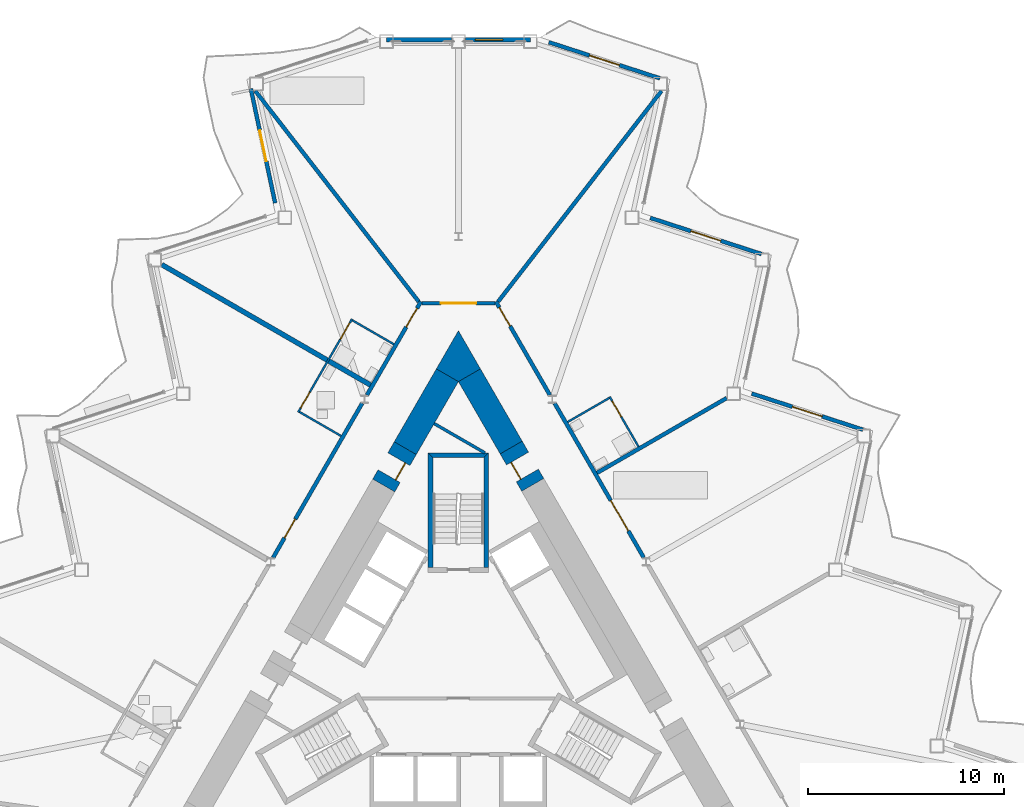
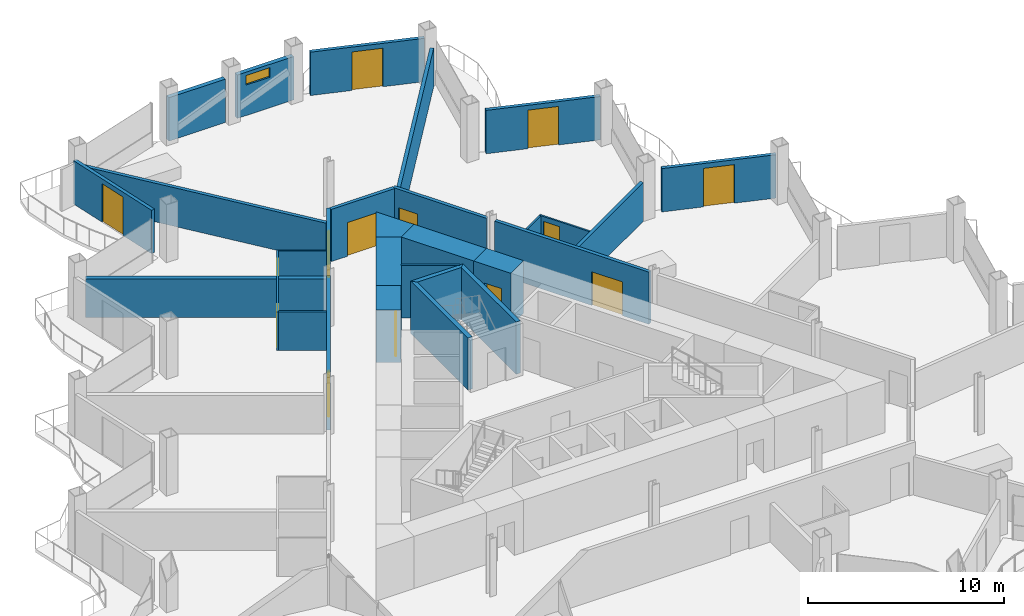
# One storey, part 14 of 23: 29 walls, 14 doors, 1 window, 15 openings.
"""IFC4 building model written with IfcOpenShell, lengths in metres."""

from ifc_helpers import new_model, si_unit, direction, frame, frame_2d, origin, place, context, subcontext, project, spatial, polyline, rectangle, outline, extrude, material, layer, layer_set, type_object, element, fill, save


model = new_model("IFC4")

# Units and contexts
model_context = context("Model", 3, precision=1e-05, world=origin(), true_north=direction((0.0, 1.0)))
body_context = subcontext(model_context, "Body", "Model", "MODEL_VIEW")
ifc_project = project(units=[si_unit("LENGTHUNIT", "METRE"), si_unit("AREAUNIT", "SQUARE_METRE"), si_unit("VOLUMEUNIT", "CUBIC_METRE"), si_unit("PLANEANGLEUNIT", "RADIAN"), si_unit("MASSUNIT", "GRAM", prefix="KILO")], contexts=[model_context])

# Site, building, storey
site_placement = place(None, origin())
site = spatial("IfcSite", under=ifc_project, at=site_placement, CompositionType="ELEMENT")
building_placement = place(site_placement, origin())
building = spatial("IfcBuilding", under=site, at=building_placement, Name="Cormorant Prow Tower", CompositionType="ELEMENT")
storey_placement = place(building_placement, frame((0.0, 0.0, 241.800048828125)))
storey = spatial("IfcBuildingStorey", under=building, at=storey_placement, Name="L53", CompositionType="ELEMENT", Elevation=241.800048828125)

# Walls
ifc_material_1 = material(Name="Gypsum board partition")
ifc_layer_1 = layer(ifc_material_1, 0.14990234375)
ifc_layer_set_1 = layer_set([ifc_layer_1], Name="Gypsum board partition")
wall_type_1 = type_object("IfcWallType", Name="Core partition 150", PredefinedType="PARTITIONING", material=ifc_layer_set_1)
wall_1_placement = place(storey_placement, frame((-1.237060546875, 12.577880859375, 0.0), z_axis=(0.0, 0.0, 1.0), x_axis=(0.866045649925, -0.499964931016, 0.0)))
element("IfcWall", 1, at=wall_1_placement, inside=storey, type_object=wall_type_1, Name="Service room partition", PredefinedType="PARTITIONING", context=body_context, shape_type="SweptSolid", body=[
    extrude(rectangle(XDim=2.992431640625, YDim=0.14990234375, at=frame_2d((1.49609375, 0.0))), origin(), (0.0, 0.0, 1.0), 3.25),
])
ifc_material_2 = material(Name="Concrete 8000 psi", Category="concrete")
ifc_layer_2 = layer(ifc_material_2, 1.300048828125)
ifc_layer_set_2 = layer_set([ifc_layer_2], Name="Concrete 8000 psi")
wall_type_2 = type_object("IfcWallType", Name="Core shear wall 1300", PredefinedType="SHEAR", material=ifc_layer_set_2)
wall_2_placement = place(storey_placement, frame((2.693115234375, 11.356201171875, 0.0), z_axis=(0.0, 0.0, 1.0), x_axis=(-0.50002837164, 0.866009022791, 0.0)))
element("IfcWall", 2, at=wall_2_placement, inside=storey, type_object=wall_type_2, Name="Core wall", PredefinedType="SHEAR", context=body_context, shape_type="SweptSolid", body=[
    extrude(rectangle(XDim=4.260009765625, YDim=1.300048828125, at=frame_2d((2.1298828125, 0.0))), origin(), (0.0, 0.0, 1.0), 3.25),
])
wall_3_placement = place(storey_placement, frame((-0.56298828125, 15.04541015625, 0.0), z_axis=(0.0, 0.0, 1.0), x_axis=(-0.499994567278, -0.866028540345, 0.0)))
element("IfcWall", 3, at=wall_3_placement, inside=storey, type_object=wall_type_2, Name="Core wall", PredefinedType="SHEAR", context=body_context, shape_type="SweptSolid", body=[
    extrude(rectangle(XDim=4.29736328125, YDim=1.300048828125, at=frame_2d((2.148681640625, 0.0))), origin(), (0.0, 0.0, 1.0), 3.25),
])
wall_4_placement = place(storey_placement, origin())
element("IfcWall", 4, at=wall_4_placement, inside=storey, type_object=wall_type_2, Name="Core wall corner", PredefinedType="SHEAR", context=body_context, shape_type="SweptSolid", body=[
    extrude(outline(polyline([(-1.125732421875, 15.37060546875), (0.0, 17.320556640625), (1.125732421875, 15.37060546875), (0.0, 14.720458984375), (-1.125732421875, 15.37060546875)])), origin(), (0.0, 0.0, 1.0), 3.25),
])

# Wall, opening, door
wall_5_placement = place(storey_placement, frame((-2.7119140625, 11.32373046875, 0.0), z_axis=(0.0, 0.0, 1.0), x_axis=(-0.499946605688, -0.86605622881, 0.0)))
wall_5 = element("IfcWall", 5, at=wall_5_placement, inside=storey, type_object=wall_type_2, Name="Core wall door panel", PredefinedType="SHEAR", context=body_context, shape_type="SweptSolid", body=[
    extrude(rectangle(XDim=2.199951171875, YDim=1.300048828125, at=frame_2d((1.10009765625, 0.0))), origin(), (0.0, 0.0, 1.0), 3.25),
])
opening_1_placement = place(wall_5_placement, frame((0.64990234375, 0.0, 0.0)))
opening_1 = element("IfcOpeningElement", 6, at=opening_1_placement, cuts=wall_5, Name="Opening L53-C17", PredefinedType="OPENING", context=body_context, shape_type="SweptSolid", body=[
    extrude(rectangle(XDim=1.0, YDim=2.10009765625, at=frame_2d((0.5, 1.050048828125))), frame((0.0, 0.659912109375, 0.0), z_axis=(0.0, -1.0, 0.0), x_axis=(1.0, 0.0, 0.0)), (0.0, 0.0, 1.0), 1.320068359375),
])
ifc_material_3 = material(Name="Painted steel", Category="steel")
door_type_1 = type_object("IfcDoorType", Name="Service door 1000x2100", OperationType="NOTDEFINED", PredefinedType="DOOR", material=ifc_material_3)
door_1_placement = place(opening_1_placement, origin())
door_1 = element("IfcDoor", 7, at=door_1_placement, inside=storey, type_object=door_type_1, Name="Core door, Telecom room", OperationType="SINGLE_SWING_LEFT", OverallHeight=2.10009765625, OverallWidth=1.0, PredefinedType="DOOR", context=body_context, shape_type="SweptSolid", body=[
    extrude(rectangle(XDim=1.0, YDim=2.10009765625, at=frame_2d((0.5, 1.050048828125))), frame((0.0, 0.40478515625, 0.0), z_axis=(0.0, -1.0, 0.0), x_axis=(1.0, 0.0, 0.0)), (0.0, 0.0, 1.0), 0.050048828125),
])
fill(opening_1, door_1)

wall_6_placement = place(storey_placement, frame((3.79296875, 9.450927734375, 0.0), z_axis=(0.0, 0.0, 1.0), x_axis=(-0.499946605688, 0.86605622881, 0.0)))
wall_6 = element("IfcWall", 8, at=wall_6_placement, inside=storey, type_object=wall_type_2, Name="Core wall door panel", PredefinedType="SHEAR", context=body_context, shape_type="SweptSolid", body=[
    extrude(rectangle(XDim=2.199951171875, YDim=1.300048828125, at=frame_2d((1.10009765625, 0.0))), origin(), (0.0, 0.0, 1.0), 3.25),
])
opening_2_placement = place(wall_6_placement, frame((0.550048828125, 0.0, 0.0)))
opening_2 = element("IfcOpeningElement", 9, at=opening_2_placement, cuts=wall_6, Name="Opening L53-C18", PredefinedType="OPENING", context=body_context, shape_type="SweptSolid", body=[
    extrude(rectangle(XDim=1.0, YDim=2.10009765625, at=frame_2d((0.5, 1.050048828125))), frame((0.0, 0.659912109375, 0.0), z_axis=(0.0, -1.0, 0.0), x_axis=(1.0, 0.0, 0.0)), (0.0, 0.0, 1.0), 1.320068359375),
])
door_2_placement = place(opening_2_placement, origin())
door_2 = element("IfcDoor", 10, at=door_2_placement, inside=storey, type_object=door_type_1, Name="Core door, Pantry store", OperationType="SINGLE_SWING_RIGHT", OverallHeight=2.10009765625, OverallWidth=1.0, PredefinedType="DOOR", context=body_context, shape_type="SweptSolid", body=[
    extrude(rectangle(XDim=1.0, YDim=2.10009765625, at=frame_2d((0.5, 1.050048828125))), frame((0.0, 0.40478515625, 0.0), z_axis=(0.0, -1.0, 0.0), x_axis=(1.0, 0.0, 0.0)), (0.0, 0.0, 1.0), 0.050048828125),
])
fill(opening_2, door_2)

ifc_material_4 = material(Name="Gypsum board corridor wall")
ifc_layer_3 = layer(ifc_material_4, 0.199951171875)
ifc_layer_set_3 = layer_set([ifc_layer_3], Name="Gypsum board corridor wall")
wall_type_3 = type_object("IfcWallType", Name="Corridor wall 200", PredefinedType="PARTITIONING", material=ifc_layer_set_3)
wall_7_placement = place(storey_placement, frame((4.91015625, 13.61572265625, 0.0), z_axis=(0.0, 0.0, 1.0), x_axis=(0.50000207303, -0.866024206917, 0.0)))
wall_7 = element("IfcWall", 11, at=wall_7_placement, inside=storey, type_object=wall_type_3, Name="Corridor wall", PredefinedType="PARTITIONING", context=body_context, shape_type="SweptSolid", body=[
    extrude(rectangle(XDim=9.0947265625, YDim=0.199951171875, at=frame_2d((4.54736328125, 0.0))), origin(), (0.0, 0.0, 1.0), 3.25),
])
opening_3_placement = place(wall_7_placement, frame((5.726318359375, 0.0, 0.0)))
opening_3 = element("IfcOpeningElement", 12, at=opening_3_placement, cuts=wall_7, Name="Opening L53-F10", PredefinedType="OPENING", context=body_context, shape_type="SweptSolid", body=[
    extrude(rectangle(XDim=1.800048828125, YDim=2.10009765625, at=frame_2d((0.89990234375, 1.050048828125))), frame((0.0, 0.10986328125, 0.0), z_axis=(0.0, -1.0, 0.0), x_axis=(1.0, 0.0, 0.0)), (0.0, 0.0, 1.0), 0.219970703125),
])
ifc_material_5 = material(Name="Timber door leaf", Category="wood")
door_type_2 = type_object("IfcDoorType", Name="Double door 1800x2100", OperationType="DOUBLE_DOOR_SINGLE_SWING", PredefinedType="DOOR", material=ifc_material_5)
door_3_placement = place(opening_3_placement, origin())
door_3 = element("IfcDoor", 13, at=door_3_placement, inside=storey, type_object=door_type_2, Name="Library door", OperationType="DOUBLE_DOOR_SINGLE_SWING", OverallHeight=2.10009765625, OverallWidth=1.800048828125, PredefinedType="DOOR", context=body_context, shape_type="SweptSolid", body=[
    extrude(rectangle(XDim=1.800048828125, YDim=2.10009765625, at=frame_2d((0.89990234375, 1.050048828125))), frame((0.0, 0.02490234375, 0.0), z_axis=(0.0, -1.0, 0.0), x_axis=(1.0, 0.0, 0.0)), (0.0, 0.0, 1.0), 0.050048828125),
])
fill(opening_3, door_3)

wall_8_placement = place(storey_placement, frame((-9.45751953125, 5.739501953125, 0.0), z_axis=(0.0, 0.0, 1.0), x_axis=(0.50000207303, 0.866024206917, 0.0)))
wall_8 = element("IfcWall", 14, at=wall_8_placement, inside=storey, type_object=wall_type_3, Name="Corridor wall", PredefinedType="PARTITIONING", context=body_context, shape_type="SweptSolid", body=[
    extrude(rectangle(XDim=9.0947265625, YDim=0.199951171875, at=frame_2d((4.54736328125, 0.0))), origin(), (0.0, 0.0, 1.0), 3.25),
])
opening_4_placement = place(wall_8_placement, frame((1.16162109375, 0.0, 0.0)))
opening_4 = element("IfcOpeningElement", 15, at=opening_4_placement, cuts=wall_8, Name="Opening L53-F16", PredefinedType="OPENING", context=body_context, shape_type="SweptSolid", body=[
    extrude(rectangle(XDim=1.10009765625, YDim=2.10009765625, at=frame_2d((0.550048828125, 1.050048828125))), frame((0.0, 0.10986328125, 0.0), z_axis=(0.0, -1.0, 0.0), x_axis=(1.0, 0.0, 0.0)), (0.0, 0.0, 1.0), 0.219970703125),
])
ifc_material_6 = material(Name="Timber door leaf", Category="wood")
door_type_3 = type_object("IfcDoorType", Name="Suite entrance door 1100x2100", OperationType="NOTDEFINED", PredefinedType="DOOR", material=ifc_material_6)
door_4_placement = place(opening_4_placement, origin())
door_4 = element("IfcDoor", 16, at=door_4_placement, inside=storey, type_object=door_type_3, Name="Junior suite door", OperationType="SINGLE_SWING_LEFT", OverallHeight=2.10009765625, OverallWidth=1.10009765625, PredefinedType="DOOR", context=body_context, shape_type="SweptSolid", body=[
    extrude(rectangle(XDim=1.10009765625, YDim=2.10009765625, at=frame_2d((0.550048828125, 1.050048828125))), frame((0.0, 0.02490234375, 0.0), z_axis=(0.0, -1.0, 0.0), x_axis=(1.0, 0.0, 0.0)), (0.0, 0.0, 1.0), 0.050048828125),
])
fill(opening_4, door_4)

wall_9_placement = place(storey_placement, frame((-4.668212890625, 14.034912109375, 0.0), z_axis=(0.0, 0.0, 1.0), x_axis=(0.499984524817, 0.866034338201, 0.0)))
wall_9 = element("IfcWall", 17, at=wall_9_placement, inside=storey, type_object=wall_type_3, Name="Corridor wall", PredefinedType="PARTITIONING", context=body_context, shape_type="SweptSolid", body=[
    extrude(rectangle(XDim=5.510498046875, YDim=0.199951171875, at=frame_2d((2.75537109375, 0.0))), origin(), (0.0, 0.0, 1.0), 3.25),
])
opening_5_placement = place(wall_9_placement, frame((4.009765625, 0.0, 0.0)))
opening_5 = element("IfcOpeningElement", 18, at=opening_5_placement, cuts=wall_9, Name="Opening L53-F14", PredefinedType="OPENING", context=body_context, shape_type="SweptSolid", body=[
    extrude(rectangle(XDim=1.10009765625, YDim=2.10009765625, at=frame_2d((0.550048828125, 1.050048828125))), frame((0.0, 0.10986328125, 0.0), z_axis=(0.0, -1.0, 0.0), x_axis=(1.0, 0.0, 0.0)), (0.0, 0.0, 1.0), 0.219970703125),
])
door_5_placement = place(opening_5_placement, origin())
door_5 = element("IfcDoor", 19, at=door_5_placement, inside=storey, type_object=door_type_3, Name="Junior suite door", OperationType="SINGLE_SWING_RIGHT", OverallHeight=2.10009765625, OverallWidth=1.10009765625, PredefinedType="DOOR", context=body_context, shape_type="SweptSolid", body=[
    extrude(rectangle(XDim=1.10009765625, YDim=2.10009765625, at=frame_2d((0.550048828125, 1.050048828125))), frame((0.0, 0.02490234375, 0.0), z_axis=(0.0, -1.0, 0.0), x_axis=(1.0, 0.0, 0.0)), (0.0, 0.0, 1.0), 0.050048828125),
])
fill(opening_5, door_5)

wall_10_placement = place(storey_placement, frame((1.9130859375, 18.80712890625, 0.0), z_axis=(0.0, 0.0, 1.0), x_axis=(0.499984524817, -0.866034338201, 0.0)))
wall_10 = element("IfcWall", 20, at=wall_10_placement, inside=storey, type_object=wall_type_3, Name="Corridor wall", PredefinedType="PARTITIONING", context=body_context, shape_type="SweptSolid", body=[
    extrude(rectangle(XDim=5.510498046875, YDim=0.199951171875, at=frame_2d((2.75537109375, 0.0))), origin(), (0.0, 0.0, 1.0), 3.25),
])
opening_6_placement = place(wall_10_placement, frame((0.350341796875, 0.0, 0.0)))
opening_6 = element("IfcOpeningElement", 21, at=opening_6_placement, cuts=wall_10, Name="Opening L53-F11", PredefinedType="OPENING", context=body_context, shape_type="SweptSolid", body=[
    extrude(rectangle(XDim=1.10009765625, YDim=2.10009765625, at=frame_2d((0.550048828125, 1.050048828125))), frame((0.0, 0.10986328125, 0.0), z_axis=(0.0, -1.0, 0.0), x_axis=(1.0, 0.0, 0.0)), (0.0, 0.0, 1.0), 0.219970703125),
])
door_6_placement = place(opening_6_placement, origin())
door_6 = element("IfcDoor", 22, at=door_6_placement, inside=storey, type_object=door_type_3, Name="Executive suite bedroom door", OperationType="SINGLE_SWING_LEFT", OverallHeight=2.10009765625, OverallWidth=1.10009765625, PredefinedType="DOOR", context=body_context, shape_type="SweptSolid", body=[
    extrude(rectangle(XDim=1.10009765625, YDim=2.10009765625, at=frame_2d((0.550048828125, 1.050048828125))), frame((0.0, 0.02490234375, 0.0), z_axis=(0.0, -1.0, 0.0), x_axis=(1.0, 0.0, 0.0)), (0.0, 0.0, 1.0), 0.050048828125),
])
fill(opening_6, door_6)

wall_11_placement = place(storey_placement, frame((-1.863037109375, 18.720458984375, 0.0), z_axis=(0.0, 0.0, 1.0), x_axis=(1.0, 0.0, 0.0)))
wall_11 = element("IfcWall", 23, at=wall_11_placement, inside=storey, type_object=wall_type_3, Name="Corridor wall", PredefinedType="PARTITIONING", context=body_context, shape_type="SweptSolid", body=[
    extrude(rectangle(XDim=3.72607421875, YDim=0.199951171875, at=frame_2d((1.863037109375, 0.0))), origin(), (0.0, 0.0, 1.0), 3.25),
])
opening_7_placement = place(wall_11_placement, frame((0.962890625, 0.0, 0.0)))
opening_7 = element("IfcOpeningElement", 24, at=opening_7_placement, cuts=wall_11, Name="Opening L53-F13", PredefinedType="OPENING", context=body_context, shape_type="SweptSolid", body=[
    extrude(rectangle(XDim=1.800048828125, YDim=2.10009765625, at=frame_2d((0.89990234375, 1.050048828125))), frame((0.0, 0.10986328125, 0.0), z_axis=(0.0, -1.0, 0.0), x_axis=(1.0, 0.0, 0.0)), (0.0, 0.0, 1.0), 0.219970703125),
])
door_7_placement = place(opening_7_placement, origin())
door_7 = element("IfcDoor", 25, at=door_7_placement, inside=storey, type_object=door_type_2, Name="Co-working space door", OperationType="DOUBLE_DOOR_SINGLE_SWING", OverallHeight=2.10009765625, OverallWidth=1.800048828125, PredefinedType="DOOR", context=body_context, shape_type="SweptSolid", body=[
    extrude(rectangle(XDim=1.800048828125, YDim=2.10009765625, at=frame_2d((0.89990234375, 1.050048828125))), frame((0.0, 0.02490234375, 0.0), z_axis=(0.0, -1.0, 0.0), x_axis=(1.0, 0.0, 0.0)), (0.0, 0.0, 1.0), 0.050048828125),
])
fill(opening_7, door_7)

# Walls
ifc_material_7 = material(Name="Gypsum board demising wall")
ifc_layer_4 = layer(ifc_material_7, 0.199951171875)
ifc_layer_set_4 = layer_set([ifc_layer_4], Name="Gypsum board demising wall")
wall_type_4 = type_object("IfcWallType", Name="Demising wall 200", PredefinedType="PARTITIONING", material=ifc_layer_set_4)
for number, where, z_axis, x_axis, name in (
    (26, (2.0244140625, 18.799560546875, 0.0), (0.0, 0.0, 1.0), (0.612908308889, 0.790154038713, 0.0), "Demising wall"),
    (27, (-10.367919921875, 29.555908203125, 0.0), (0.0, 0.0, 1.0), (0.612908308889, -0.790154038713, 0.0), "Demising wall"),
):
    element("IfcWall", number, at=place(storey_placement, frame(where, z_axis=z_axis, x_axis=x_axis)), inside=storey, type_object=wall_type_4, Name=name, PredefinedType="PARTITIONING", context=body_context, shape_type="SweptSolid", body=[
        extrude(rectangle(XDim=13.613037109375, YDim=0.199951171875, at=frame_2d((6.806640625, 0.0))), origin(), (0.0, 0.0, 1.0), 2.404052734375),
    ])
wall_12_placement = place(storey_placement, frame((7.0771484375, 10.0625, 0.0), z_axis=(0.0, 0.0, 1.0), x_axis=(0.866041764179, 0.499971661894, 0.0)))
element("IfcWall", 28, at=wall_12_placement, inside=storey, type_object=wall_type_4, Name="Demising wall", PredefinedType="PARTITIONING", context=body_context, shape_type="SweptSolid", body=[
    extrude(rectangle(XDim=7.63232421875, YDim=0.199951171875, at=frame_2d((3.816162109375, 0.0))), origin(), (0.0, 0.0, 1.0), 2.404052734375),
])

# Wall, openings, doors
ifc_material_8 = material(Name="Gypsum board partition")
ifc_layer_5 = layer(ifc_material_8, 0.10009765625)
ifc_layer_set_5 = layer_set([ifc_layer_5], Name="Gypsum board partition")
wall_type_5 = type_object("IfcWallType", Name="Internal partition 100", PredefinedType="PARTITIONING", material=ifc_layer_set_5)
wall_13_placement = place(storey_placement, frame((-8.179443359375, 13.1533203125, 0.0), z_axis=(0.0, 0.0, 1.0), x_axis=(0.499996545922, 0.866027397988, 0.0)))
wall_13 = element("IfcWall", 29, at=wall_13_placement, inside=storey, type_object=wall_type_5, Name="Internal partition", PredefinedType="PARTITIONING", context=body_context, shape_type="SweptSolid", body=[
    extrude(rectangle(XDim=5.5, YDim=0.10009765625, at=frame_2d((2.75, 0.0))), origin(), (0.0, 0.0, 1.0), 2.404052734375),
])
opening_8_placement = place(wall_13_placement, frame((4.300048828125, 0.0, 0.0)))
opening_8 = element("IfcOpeningElement", 30, at=opening_8_placement, cuts=wall_13, Name="Opening L53-F15", PredefinedType="OPENING", context=body_context, shape_type="SweptSolid", body=[
    extrude(rectangle(XDim=0.949951171875, YDim=2.10009765625, at=frame_2d((0.47509765625, 1.050048828125))), frame((0.0, 0.06005859375, 0.0), z_axis=(0.0, -1.0, 0.0), x_axis=(1.0, 0.0, 0.0)), (0.0, 0.0, 1.0), 0.1201171875),
])
opening_9_placement = place(wall_13_placement, frame((0.25, 0.0, 0.0)))
opening_9 = element("IfcOpeningElement", 31, at=opening_9_placement, cuts=wall_13, Name="Opening L53-F17", PredefinedType="OPENING", context=body_context, shape_type="SweptSolid", body=[
    extrude(rectangle(XDim=0.949951171875, YDim=2.10009765625, at=frame_2d((0.47509765625, 1.050048828125))), frame((0.0, 0.06005859375, 0.0), z_axis=(0.0, -1.0, 0.0), x_axis=(1.0, 0.0, 0.0)), (0.0, 0.0, 1.0), 0.1201171875),
])
ifc_material_9 = material(Name="Timber door leaf", Category="wood")
door_type_4 = type_object("IfcDoorType", Name="Bathroom door 950x2100", OperationType="NOTDEFINED", PredefinedType="DOOR", material=ifc_material_9)
door_8_placement = place(opening_8_placement, origin())
door_8 = element("IfcDoor", 32, at=door_8_placement, inside=storey, type_object=door_type_4, Name="Junior suite door", OperationType="SINGLE_SWING_RIGHT", OverallHeight=2.10009765625, OverallWidth=0.949951171875, PredefinedType="DOOR", context=body_context, shape_type="SweptSolid", body=[
    extrude(rectangle(XDim=0.949951171875, YDim=2.10009765625, at=frame_2d((0.47509765625, 1.050048828125))), frame((0.0, 0.02490234375, 0.0), z_axis=(0.0, -1.0, 0.0), x_axis=(1.0, 0.0, 0.0)), (0.0, 0.0, 1.0), 0.050048828125),
])
fill(opening_8, door_8)
door_9_placement = place(opening_9_placement, origin())
door_9 = element("IfcDoor", 33, at=door_9_placement, inside=storey, type_object=door_type_4, Name="Junior suite door", OperationType="SINGLE_SWING_LEFT", OverallHeight=2.10009765625, OverallWidth=0.949951171875, PredefinedType="DOOR", context=body_context, shape_type="SweptSolid", body=[
    extrude(rectangle(XDim=0.949951171875, YDim=2.10009765625, at=frame_2d((0.47509765625, 1.050048828125))), frame((0.0, 0.02490234375, 0.0), z_axis=(0.0, -1.0, 0.0), x_axis=(1.0, 0.0, 0.0)), (0.0, 0.0, 1.0), 0.050048828125),
])
fill(opening_9, door_9)

# Wall, opening, door
wall_14_placement = place(storey_placement, frame((7.71728515625, 13.953857421875, 0.0), z_axis=(0.0, 0.0, 1.0), x_axis=(0.500001826776, -0.866024349092, 0.0)))
wall_14 = element("IfcWall", 34, at=wall_14_placement, inside=storey, type_object=wall_type_5, Name="Internal partition", PredefinedType="PARTITIONING", context=body_context, shape_type="SweptSolid", body=[
    extrude(rectangle(XDim=2.9501953125, YDim=0.10009765625, at=frame_2d((1.47509765625, 0.0))), origin(), (0.0, 0.0, 1.0), 2.404052734375),
])
opening_10_placement = place(wall_14_placement, frame((0.25, 0.0, 0.0)))
opening_10 = element("IfcOpeningElement", 35, at=opening_10_placement, cuts=wall_14, Name="Opening L53-F12", PredefinedType="OPENING", context=body_context, shape_type="SweptSolid", body=[
    extrude(rectangle(XDim=0.949951171875, YDim=2.10009765625, at=frame_2d((0.47509765625, 1.050048828125))), frame((0.0, 0.06005859375, 0.0), z_axis=(0.0, -1.0, 0.0), x_axis=(1.0, 0.0, 0.0)), (0.0, 0.0, 1.0), 0.1201171875),
])
door_10_placement = place(opening_10_placement, origin())
door_10 = element("IfcDoor", 36, at=door_10_placement, inside=storey, type_object=door_type_4, Name="Executive suite bedroom door", OperationType="SINGLE_SWING_LEFT", OverallHeight=2.10009765625, OverallWidth=0.949951171875, PredefinedType="DOOR", context=body_context, shape_type="SweptSolid", body=[
    extrude(rectangle(XDim=0.949951171875, YDim=2.10009765625, at=frame_2d((0.47509765625, 1.050048828125))), frame((0.0, 0.02490234375, 0.0), z_axis=(0.0, -1.0, 0.0), x_axis=(1.0, 0.0, 0.0)), (0.0, 0.0, 1.0), 0.050048828125),
])
fill(opening_10, door_10)

# Walls
wall_15_placement = place(storey_placement, frame((-5.4111328125, 17.84814453125, 0.0), z_axis=(0.0, 0.0, 1.0), x_axis=(0.866057815567, -0.499943856944, 0.0)))
element("IfcWall", 37, at=wall_15_placement, inside=storey, type_object=wall_type_5, Name="Internal partition", PredefinedType="PARTITIONING", context=body_context, shape_type="SweptSolid", body=[
    extrude(rectangle(XDim=2.449951171875, YDim=0.10009765625, at=frame_2d((1.22509765625, 0.0))), origin(), (0.0, 0.0, 1.0), 2.404052734375),
])
wall_16_placement = place(storey_placement, frame((5.5771484375, 12.660400390625, 0.0), z_axis=(0.0, 0.0, 1.0), x_axis=(0.866014668023, 0.500018594424, 0.0)))
element("IfcWall", 38, at=wall_16_placement, inside=storey, type_object=wall_type_5, Name="Internal partition", PredefinedType="PARTITIONING", context=body_context, shape_type="SweptSolid", body=[
    extrude(rectangle(XDim=2.4501953125, YDim=0.10009765625, at=frame_2d((1.22509765625, 0.0))), origin(), (0.0, 0.0, 1.0), 2.404052734375),
])
wall_17_placement = place(storey_placement, frame((-8.111083984375, 13.171630859375, 0.0), z_axis=(0.0, 0.0, 1.0), x_axis=(0.865989751695, -0.500061746146, 0.0)))
element("IfcWall", 39, at=wall_17_placement, inside=storey, type_object=wall_type_5, Name="Internal partition", PredefinedType="PARTITIONING", context=body_context, shape_type="SweptSolid", body=[
    extrude(rectangle(XDim=2.449951171875, YDim=0.10009765625, at=frame_2d((1.22509765625, 0.0))), origin(), (0.0, 0.0, 1.0), 2.404052734375),
])
ifc_material_10 = material(Name="Concrete 8000 psi", Category="concrete")
ifc_layer_6 = layer(ifc_material_10, 0.25)
ifc_layer_set_6 = layer_set([ifc_layer_6], Name="Concrete 8000 psi")
wall_type_6 = type_object("IfcWallType", Name="Stair wall 250", PredefinedType="SHEAR", material=ifc_layer_set_6)
wall_18_placement = place(storey_placement, origin())
element("IfcWall", 40, at=wall_18_placement, inside=storey, type_object=wall_type_6, Name="Stair ST3 enclosure wall (flank)", PredefinedType="SHEAR", context=body_context, shape_type="SweptSolid", body=[
    extrude(outline(polyline([(1.5439453125, 5.23681640625), (1.5439453125, 11.0869140625), (1.2939453125, 10.8369140625), (1.2939453125, 5.23681640625), (1.5439453125, 5.23681640625)])), origin(), (0.0, 0.0, 1.0), 3.25),
])
wall_19_placement = place(storey_placement, origin())
element("IfcWall", 41, at=wall_19_placement, inside=storey, type_object=wall_type_6, Name="Stair ST3 enclosure wall (end)", PredefinedType="SHEAR", context=body_context, shape_type="SweptSolid", body=[
    extrude(outline(polyline([(1.5439453125, 11.0869140625), (-1.5439453125, 11.0869140625), (-1.2939453125, 10.8369140625), (1.2939453125, 10.8369140625), (1.5439453125, 11.0869140625)])), origin(), (0.0, 0.0, 1.0), 3.25),
])
wall_20_placement = place(storey_placement, origin())
element("IfcWall", 42, at=wall_20_placement, inside=storey, type_object=wall_type_6, Name="Stair ST3 enclosure wall (flank)", PredefinedType="SHEAR", context=body_context, shape_type="SweptSolid", body=[
    extrude(outline(polyline([(-1.2939453125, 10.8369140625), (-1.5439453125, 11.0869140625), (-1.5439453125, 5.23681640625), (-1.2939453125, 5.23681640625), (-1.2939453125, 10.8369140625)])), origin(), (0.0, 0.0, 1.0), 3.25),
])
ifc_material_11 = material(Name="Acoustic gypsum party wall")
ifc_layer_7 = layer(ifc_material_11, 0.25)
ifc_layer_set_7 = layer_set([ifc_layer_7], Name="Acoustic gypsum party wall")
wall_type_7 = type_object("IfcWallType", Name="Suite party wall 250", PredefinedType="PARTITIONING", material=ifc_layer_set_7)
wall_21_placement = place(storey_placement, frame((-15.138427734375, 20.693115234375, 0.0), z_axis=(0.0, 0.0, 1.0), x_axis=(0.866015637476, -0.500016915361, 0.0)))
element("IfcWall", 43, at=wall_21_placement, inside=storey, type_object=wall_type_7, Name="Suite party wall", PredefinedType="PARTITIONING", context=body_context, shape_type="SweptSolid", body=[
    extrude(rectangle(XDim=12.29638671875, YDim=0.25, at=frame_2d((6.148193359375, 0.0))), origin(), (0.0, 0.0, 1.0), 2.404052734375),
])

# Wall, opening, window
ifc_material_12 = material(Name="Terracotta", Category="masonry")
ifc_layer_8 = layer(ifc_material_12, 0.25)
ifc_layer_set_8 = layer_set([ifc_layer_8], Name="Terracotta")
wall_type_8 = type_object("IfcWallType", Name="Terracotta bay wall 250", PredefinedType="SOLIDWALL", material=ifc_layer_set_8)
wall_22_placement = place(storey_placement, frame((3.6708984375, 32.16552734375, 0.0), z_axis=(0.0, 0.0, 1.0), x_axis=(-1.0, 0.0, 0.0)))
wall_22 = element("IfcWall", 44, at=wall_22_placement, inside=storey, type_object=wall_type_8, Name="Terracotta bay wall N00", PredefinedType="SOLIDWALL", context=body_context, shape_type="SweptSolid", body=[
    extrude(rectangle(XDim=3.32080078125, YDim=0.25, at=frame_2d((1.660400390625, 0.0))), origin(), (0.0, 0.0, 1.0), 2.700927734375),
])
opening_11_placement = place(wall_22_placement, frame((1.39990234375, 0.0, 1.89990234375)))
opening_11 = element("IfcOpeningElement", 45, at=opening_11_placement, cuts=wall_22, Name="Opening WN6", PredefinedType="OPENING", context=body_context, shape_type="SweptSolid", body=[
    extrude(rectangle(XDim=1.39990234375, YDim=0.60009765625, at=frame_2d((0.699951171875, 0.300048828125))), frame((0.0, 0.135009765625, 0.0), z_axis=(0.0, -1.0, 0.0), x_axis=(1.0, 0.0, 0.0)), (0.0, 0.0, 1.0), 0.27001953125),
])
ifc_material_13 = material(Name="Aluminium 6063-T6", Category="aluminium")
window_type = type_object("IfcWindowType", Name="Corner bay window 1400x600", PartitioningType="SINGLE_PANEL", PredefinedType="WINDOW", material=ifc_material_13)
window_placement = place(opening_11_placement, origin())
window = element("IfcWindow", 46, at=window_placement, inside=storey, type_object=window_type, Name="Corner bay window N00", OverallHeight=0.60009765625, OverallWidth=1.39990234375, PartitioningType="SINGLE_PANEL", PredefinedType="WINDOW", context=body_context, shape_type="SweptSolid", body=[
    extrude(rectangle(XDim=1.39990234375, YDim=0.60009765625, at=frame_2d((0.699951171875, 0.300048828125))), frame((0.0, 0.030029296875, 0.0), z_axis=(0.0, -1.0, 0.0), x_axis=(1.0, 0.0, 0.0)), (0.0, 0.0, 1.0), 0.06005859375),
])
fill(opening_11, window)

# Wall
wall_23_placement = place(storey_placement, frame((-0.35009765625, 32.16552734375, 0.0), z_axis=(0.0, 0.0, 1.0), x_axis=(-1.0, 0.0, 0.0)))
element("IfcWall", 47, at=wall_23_placement, inside=storey, type_object=wall_type_8, Name="Terracotta bay wall N01", PredefinedType="SOLIDWALL", context=body_context, shape_type="SweptSolid", body=[
    extrude(rectangle(XDim=3.32080078125, YDim=0.25, at=frame_2d((1.660400390625, 0.0))), origin(), (0.0, 0.0, 1.0), 2.700927734375),
])

# Wall, opening, door
ifc_material_14 = material(Name="Terracotta", Category="masonry")
ifc_layer_9 = layer(ifc_material_14, 0.199951171875)
ifc_layer_set_9 = layer_set([ifc_layer_9], Name="Terracotta")
wall_type_9 = type_object("IfcWallType", Name="Terracotta jamb wall 200", PredefinedType="SOLIDWALL", material=ifc_layer_set_9)
wall_24_placement = place(storey_placement, frame((20.6396484375, 12.268798828125, 0.0), z_axis=(0.0, 0.0, 1.0), x_axis=(-0.95104730696, 0.309045336358, 0.0)))
wall_24 = element("IfcWall", 48, at=wall_24_placement, inside=storey, type_object=wall_type_9, Name="Terracotta jamb wall ENE05", PredefinedType="SOLIDWALL", context=body_context, shape_type="SweptSolid", body=[
    extrude(rectangle(XDim=5.962890625, YDim=0.199951171875, at=frame_2d((2.9814453125, 0.0))), origin(), (0.0, 0.0, 1.0), 2.700927734375),
])
opening_12_placement = place(wall_24_placement, frame((2.181396484375, 0.0, 0.0)))
opening_12 = element("IfcOpeningElement", 49, at=opening_12_placement, cuts=wall_24, Name="Opening ED53.08", PredefinedType="OPENING", context=body_context, shape_type="SweptSolid", body=[
    extrude(rectangle(XDim=1.60009765625, YDim=2.39990234375, at=frame_2d((0.800048828125, 1.199951171875))), frame((0.0, 0.10986328125, 0.0), z_axis=(0.0, -1.0, 0.0), x_axis=(1.0, 0.0, 0.0)), (0.0, 0.0, 1.0), 0.219970703125),
])
ifc_material_15 = material(Name="Aluminium 6063-T6", Category="aluminium")
door_type_5 = type_object("IfcDoorType", Name="Balcony door 1600x2400", OperationType="DOUBLE_DOOR_SINGLE_SWING", PredefinedType="DOOR", material=ifc_material_15)
door_11_placement = place(opening_12_placement, origin())
door_11 = element("IfcDoor", 50, at=door_11_placement, inside=storey, type_object=door_type_5, Name="Balcony door ENE05 ED53.08", OperationType="DOUBLE_DOOR_SINGLE_SWING", OverallHeight=2.39990234375, OverallWidth=1.60009765625, PredefinedType="DOOR", context=body_context, shape_type="SweptSolid", body=[
    extrude(rectangle(XDim=1.60009765625, YDim=2.39990234375, at=frame_2d((0.800048828125, 1.199951171875))), frame((0.0, 0.02490234375, 0.0), z_axis=(0.0, -1.0, 0.0), x_axis=(1.0, 0.0, 0.0)), (0.0, 0.0, 1.0), 0.050048828125),
])
fill(opening_12, door_11)

wall_25_placement = place(storey_placement, frame((15.4638671875, 21.2333984375, 0.0), z_axis=(0.0, 0.0, 1.0), x_axis=(-0.951055430656, 0.309020335608, 0.0)))
wall_25 = element("IfcWall", 51, at=wall_25_placement, inside=storey, type_object=wall_type_9, Name="Terracotta jamb wall ENE07", PredefinedType="SOLIDWALL", context=body_context, shape_type="SweptSolid", body=[
    extrude(rectangle(XDim=5.96240234375, YDim=0.199951171875, at=frame_2d((2.981201171875, 0.0))), origin(), (0.0, 0.0, 1.0), 2.700927734375),
])
opening_13_placement = place(wall_25_placement, frame((2.181396484375, 0.0, 0.0)))
opening_13 = element("IfcOpeningElement", 52, at=opening_13_placement, cuts=wall_25, Name="Opening ED53.09", PredefinedType="OPENING", context=body_context, shape_type="SweptSolid", body=[
    extrude(rectangle(XDim=1.60009765625, YDim=2.39990234375, at=frame_2d((0.800048828125, 1.199951171875))), frame((0.0, 0.10986328125, 0.0), z_axis=(0.0, -1.0, 0.0), x_axis=(1.0, 0.0, 0.0)), (0.0, 0.0, 1.0), 0.219970703125),
])
door_12_placement = place(opening_13_placement, origin())
door_12 = element("IfcDoor", 53, at=door_12_placement, inside=storey, type_object=door_type_5, Name="Balcony door ENE07 ED53.09", OperationType="DOUBLE_DOOR_SINGLE_SWING", OverallHeight=2.39990234375, OverallWidth=1.60009765625, PredefinedType="DOOR", context=body_context, shape_type="SweptSolid", body=[
    extrude(rectangle(XDim=1.60009765625, YDim=2.39990234375, at=frame_2d((0.800048828125, 1.199951171875))), frame((0.0, 0.02490234375, 0.0), z_axis=(0.0, -1.0, 0.0), x_axis=(1.0, 0.0, 0.0)), (0.0, 0.0, 1.0), 0.050048828125),
])
fill(opening_13, door_12)

wall_26_placement = place(storey_placement, frame((10.2880859375, 30.197998046875, 0.0), z_axis=(0.0, 0.0, 1.0), x_axis=(-0.951055430656, 0.309020335608, 0.0)))
wall_26 = element("IfcWall", 54, at=wall_26_placement, inside=storey, type_object=wall_type_9, Name="Terracotta jamb wall ENE09", PredefinedType="SOLIDWALL", context=body_context, shape_type="SweptSolid", body=[
    extrude(rectangle(XDim=5.96240234375, YDim=0.199951171875, at=frame_2d((2.981201171875, 0.0))), origin(), (0.0, 0.0, 1.0), 2.700927734375),
])
opening_14_placement = place(wall_26_placement, frame((2.181396484375, 0.0, 0.0)))
opening_14 = element("IfcOpeningElement", 55, at=opening_14_placement, cuts=wall_26, Name="Opening ED53.10", PredefinedType="OPENING", context=body_context, shape_type="SweptSolid", body=[
    extrude(rectangle(XDim=1.60009765625, YDim=2.39990234375, at=frame_2d((0.800048828125, 1.199951171875))), frame((0.0, 0.10986328125, 0.0), z_axis=(0.0, -1.0, 0.0), x_axis=(1.0, 0.0, 0.0)), (0.0, 0.0, 1.0), 0.219970703125),
])
door_13_placement = place(opening_14_placement, origin())
door_13 = element("IfcDoor", 56, at=door_13_placement, inside=storey, type_object=door_type_5, Name="Balcony door ENE09 ED53.10", OperationType="DOUBLE_DOOR_SINGLE_SWING", OverallHeight=2.39990234375, OverallWidth=1.60009765625, PredefinedType="DOOR", context=body_context, shape_type="SweptSolid", body=[
    extrude(rectangle(XDim=1.60009765625, YDim=2.39990234375, at=frame_2d((0.800048828125, 1.199951171875))), frame((0.0, 0.02490234375, 0.0), z_axis=(0.0, -1.0, 0.0), x_axis=(1.0, 0.0, 0.0)), (0.0, 0.0, 1.0), 0.050048828125),
])
fill(opening_14, door_13)

wall_27_placement = place(storey_placement, frame((-10.593505859375, 29.669189453125, 0.0), z_axis=(0.0, 0.0, 1.0), x_axis=(0.207881772083, -0.978153959679, 0.0)))
wall_27 = element("IfcWall", 57, at=wall_27_placement, inside=storey, type_object=wall_type_9, Name="Terracotta jamb wall WNW01", PredefinedType="SOLIDWALL", context=body_context, shape_type="SweptSolid", body=[
    extrude(rectangle(XDim=5.962646484375, YDim=0.199951171875, at=frame_2d((2.9814453125, 0.0))), origin(), (0.0, 0.0, 1.0), 2.700927734375),
])
opening_15_placement = place(wall_27_placement, frame((2.181396484375, 0.0, 0.0)))
opening_15 = element("IfcOpeningElement", 58, at=opening_15_placement, cuts=wall_27, Name="Opening ED53.11", PredefinedType="OPENING", context=body_context, shape_type="SweptSolid", body=[
    extrude(rectangle(XDim=1.60009765625, YDim=2.39990234375, at=frame_2d((0.800048828125, 1.199951171875))), frame((0.0, 0.10986328125, 0.0), z_axis=(0.0, -1.0, 0.0), x_axis=(1.0, 0.0, 0.0)), (0.0, 0.0, 1.0), 0.219970703125),
])
door_14_placement = place(opening_15_placement, origin())
door_14 = element("IfcDoor", 59, at=door_14_placement, inside=storey, type_object=door_type_5, Name="Balcony door WNW01 ED53.11", OperationType="DOUBLE_DOOR_SINGLE_SWING", OverallHeight=2.39990234375, OverallWidth=1.60009765625, PredefinedType="DOOR", context=body_context, shape_type="SweptSolid", body=[
    extrude(rectangle(XDim=1.60009765625, YDim=2.39990234375, at=frame_2d((0.800048828125, 1.199951171875))), frame((0.0, 0.02490234375, 0.0), z_axis=(0.0, -1.0, 0.0), x_axis=(1.0, 0.0, 0.0)), (0.0, 0.0, 1.0), 0.050048828125),
])
fill(opening_15, door_14)

save(model, "model.ifc")
